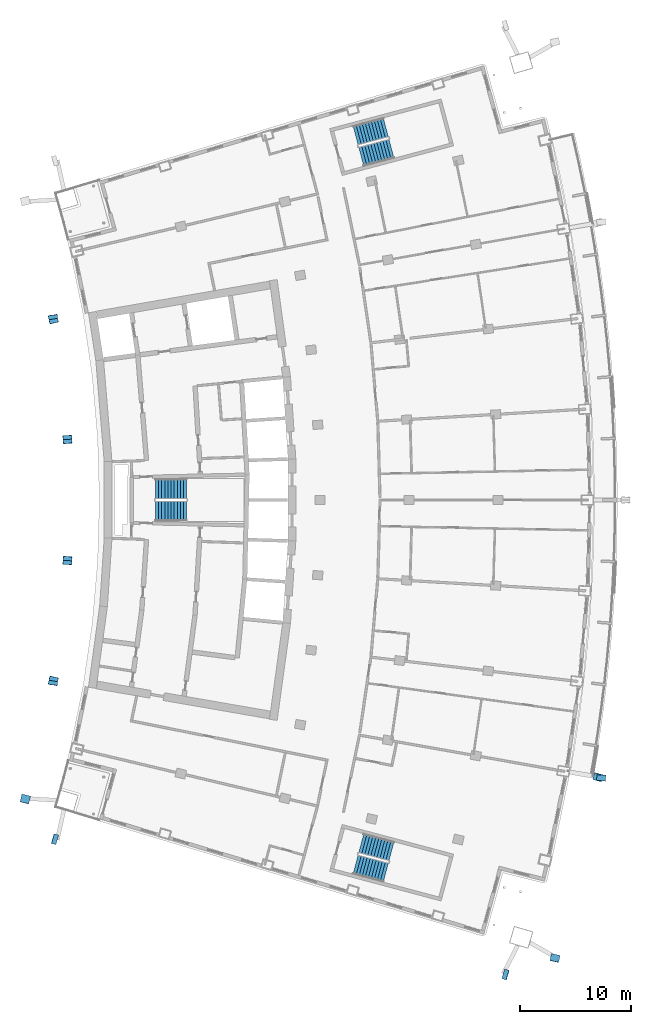
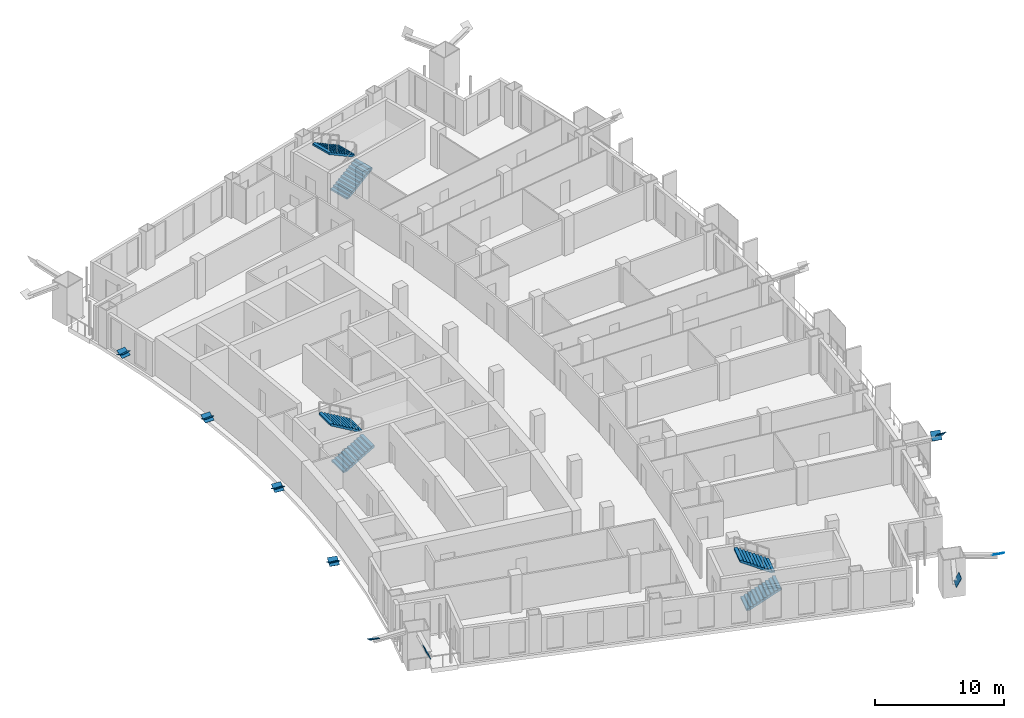
# One storey, part 18 of 22: 14 discrete accessories, 6 stair flights, 3 elements without a shape of their own.
"""IFC4 building model written with IfcOpenShell, lengths in metres."""

from ifc_helpers import new_model, si_unit, direction, frame, origin, origin_2d, place, context, subcontext, project, spatial, polyline, rectangle, outline, extrude, material, layer, layer_set, material_profile, profile_set, type_object, element, aggregate, save


model = new_model("IFC4")

# Units and contexts
model_context = context("Model", 3, precision=1e-05, world=origin(), true_north=direction((0.0, 1.0)))
body_context = subcontext(model_context, "Body", "Model", "MODEL_VIEW")
ifc_project = project(units=[si_unit("LENGTHUNIT", "METRE"), si_unit("AREAUNIT", "SQUARE_METRE"), si_unit("VOLUMEUNIT", "CUBIC_METRE"), si_unit("PLANEANGLEUNIT", "RADIAN"), si_unit("MASSUNIT", "GRAM", prefix="KILO")], contexts=[model_context])

# Site, building, storey
site_placement = place(None, origin())
site = spatial("IfcSite", under=ifc_project, at=site_placement, CompositionType="ELEMENT")
building_placement = place(site_placement, origin())
building = spatial("IfcBuilding", under=site, at=building_placement, Name="Alderwake Tower", CompositionType="ELEMENT")
storey_placement = place(building_placement, frame((0.0, 0.0, 156.800048828125)))
storey = spatial("IfcBuildingStorey", under=building, at=storey_placement, Name="L38", CompositionType="ELEMENT", Elevation=156.800048828125)

# Stair, stair flights
ifc_material_1 = material(Name="Concrete C40/50", Category="concrete")
stair_type = type_object("IfcStairType", Name="Core exit stair", PredefinedType="HALF_TURN_STAIR", material=ifc_material_1)
stair_1_placement = place(storey_placement, origin())
stair_1 = element("IfcStair", 1, at=stair_1_placement, inside=storey, type_object=stair_type, Name="L38 Exit Stair B", PredefinedType="HALF_TURN_STAIR")
ifc_material_2 = material(Name="Concrete C40/50", Category="concrete")
ifc_layer = layer(ifc_material_2, 0.14990234375)
ifc_layer_set = layer_set([ifc_layer], Name="Core stair flight")
stair_flight_type = type_object("IfcStairFlightType", Name="Core stair flight", PredefinedType="STRAIGHT", material=ifc_layer_set)
stair_flight_1_placement = place(storey_placement, frame((21.0400390625, 60.02490234375, 0.0), z_axis=(0.0, 0.0, 1.0), x_axis=(1.0, 0.0, 0.0)))
stair_flight_1 = element("IfcStairFlight", 2, at=stair_flight_1_placement, type_object=stair_flight_type, Name="ST-B flight 1", NumberOfRisers=11, NumberOfTreads=10, PredefinedType="STRAIGHT", RiserHeight=0.163636364, TreadLength=0.28, context=body_context, shape_type="SweptSolid", body=[
    extrude(outline(polyline([(0.0, 0.0), (0.0, 0.16357421875), (0.280029296875, 0.16357421875), (0.280029296875, 0.327392578125), (0.56005859375, 0.327392578125), (0.56005859375, 0.490966796875), (0.840087890625, 0.490966796875), (0.840087890625, 0.654541015625), (1.1201171875, 0.654541015625), (1.1201171875, 0.818115234375), (1.39990234375, 0.818115234375), (1.39990234375, 0.98193359375), (1.679931640625, 0.98193359375), (1.679931640625, 1.1455078125), (1.9599609375, 1.1455078125), (1.9599609375, 1.30908203125), (2.239990234375, 1.30908203125), (2.239990234375, 1.47265625), (2.52001953125, 1.47265625), (2.52001953125, 1.636474609375), (2.800048828125, 1.636474609375), (2.800048828125, 1.800048828125), (2.800048828125, 1.462646484375), (0.297119140625, 0.0), (0.0, 0.0)])), frame((0.0, 0.89990234375, 0.0), z_axis=(0.0, -1.0, 0.0), x_axis=(1.0, 0.0, 0.0)), (0.0, 0.0, 1.0), 1.800048828125),
])
stair_flight_2_placement = place(storey_placement, frame((23.840087890625, 61.97509765625, 1.800048828125), z_axis=(0.0, 0.0, 1.0), x_axis=(-1.0, 0.0, 0.0)))
stair_flight_2 = element("IfcStairFlight", 3, at=stair_flight_2_placement, type_object=stair_flight_type, Name="ST-B flight 2", NumberOfRisers=11, NumberOfTreads=10, PredefinedType="STRAIGHT", RiserHeight=0.163636364, TreadLength=0.28, context=body_context, shape_type="SweptSolid", body=[
    extrude(outline(polyline([(0.0, 0.0), (0.0, 0.16357421875), (0.280029296875, 0.16357421875), (0.280029296875, 0.327392578125), (0.56005859375, 0.327392578125), (0.56005859375, 0.490966796875), (0.840087890625, 0.490966796875), (0.840087890625, 0.654541015625), (1.1201171875, 0.654541015625), (1.1201171875, 0.818115234375), (1.39990234375, 0.818115234375), (1.39990234375, 0.98193359375), (1.679931640625, 0.98193359375), (1.679931640625, 1.1455078125), (1.9599609375, 1.1455078125), (1.9599609375, 1.30908203125), (2.239990234375, 1.30908203125), (2.239990234375, 1.47265625), (2.52001953125, 1.47265625), (2.52001953125, 1.636474609375), (2.800048828125, 1.636474609375), (2.800048828125, 1.800048828125), (2.800048828125, 1.462646484375), (0.297119140625, 0.0), (0.0, 0.0)])), frame((0.0, 0.89990234375, 0.0), z_axis=(0.0, -1.0, 0.0), x_axis=(1.0, 0.0, 0.0)), (0.0, 0.0, 1.0), 1.800048828125),
])
aggregate(stair_1, [stair_flight_1, stair_flight_2])

stair_2_placement = place(storey_placement, origin())
stair_2 = element("IfcStair", 4, at=stair_2_placement, inside=storey, type_object=stair_type, Name="L38 Exit Stair A", PredefinedType="HALF_TURN_STAIR")
stair_flight_3_placement = place(storey_placement, frame((39.512939453125, 91.823974609375, 0.0), z_axis=(0.0, 0.0, 1.0), x_axis=(0.966309627437, 0.257382407951, 0.0)))
stair_flight_3 = element("IfcStairFlight", 5, at=stair_flight_3_placement, type_object=stair_flight_type, Name="ST-A flight 1", NumberOfRisers=11, NumberOfTreads=10, PredefinedType="STRAIGHT", RiserHeight=0.163636364, TreadLength=0.28, context=body_context, shape_type="SweptSolid", body=[
    extrude(outline(polyline([(0.0, 0.0), (0.0, 0.16357421875), (0.280029296875, 0.16357421875), (0.280029296875, 0.327392578125), (0.56005859375, 0.327392578125), (0.56005859375, 0.490966796875), (0.840087890625, 0.490966796875), (0.840087890625, 0.654541015625), (1.1201171875, 0.654541015625), (1.1201171875, 0.818115234375), (1.39990234375, 0.818115234375), (1.39990234375, 0.98193359375), (1.679931640625, 0.98193359375), (1.679931640625, 1.1455078125), (1.9599609375, 1.1455078125), (1.9599609375, 1.30908203125), (2.239990234375, 1.30908203125), (2.239990234375, 1.47265625), (2.52001953125, 1.47265625), (2.52001953125, 1.636474609375), (2.800048828125, 1.636474609375), (2.800048828125, 1.800048828125), (2.800048828125, 1.462646484375), (0.297119140625, 0.0), (0.0, 0.0)])), frame((0.0, 0.89990234375, 0.0), z_axis=(0.0, -1.0, 0.0), x_axis=(1.0, 0.0, 0.0)), (0.0, 0.0, 1.0), 1.800048828125),
])
stair_flight_4_placement = place(storey_placement, frame((41.716796875, 94.428955078125, 1.800048828125), z_axis=(0.0, 0.0, 1.0), x_axis=(-0.966309627437, -0.257382407951, 0.0)))
stair_flight_4 = element("IfcStairFlight", 6, at=stair_flight_4_placement, type_object=stair_flight_type, Name="ST-A flight 2", NumberOfRisers=11, NumberOfTreads=10, PredefinedType="STRAIGHT", RiserHeight=0.163636364, TreadLength=0.28, context=body_context, shape_type="SweptSolid", body=[
    extrude(outline(polyline([(0.0, 0.0), (0.0, 0.16357421875), (0.280029296875, 0.16357421875), (0.280029296875, 0.327392578125), (0.56005859375, 0.327392578125), (0.56005859375, 0.490966796875), (0.840087890625, 0.490966796875), (0.840087890625, 0.654541015625), (1.1201171875, 0.654541015625), (1.1201171875, 0.818115234375), (1.39990234375, 0.818115234375), (1.39990234375, 0.98193359375), (1.679931640625, 0.98193359375), (1.679931640625, 1.1455078125), (1.9599609375, 1.1455078125), (1.9599609375, 1.30908203125), (2.239990234375, 1.30908203125), (2.239990234375, 1.47265625), (2.52001953125, 1.47265625), (2.52001953125, 1.636474609375), (2.800048828125, 1.636474609375), (2.800048828125, 1.800048828125), (2.800048828125, 1.462646484375), (0.297119140625, 0.0), (0.0, 0.0)])), frame((0.0, 0.89990234375, 0.0), z_axis=(0.0, -1.0, 0.0), x_axis=(1.0, 0.0, 0.0)), (0.0, 0.0, 1.0), 1.800048828125),
])
aggregate(stair_2, [stair_flight_3, stair_flight_4])

stair_3_placement = place(storey_placement, origin())
stair_3 = element("IfcStair", 7, at=stair_3_placement, inside=storey, type_object=stair_type, Name="L38 Exit Stair C", PredefinedType="HALF_TURN_STAIR")
stair_flight_5_placement = place(storey_placement, frame((39.010986328125, 28.291748046875, 0.0), z_axis=(0.0, 0.0, 1.0), x_axis=(0.966309627437, -0.257382407951, 0.0)))
stair_flight_5 = element("IfcStairFlight", 8, at=stair_flight_5_placement, type_object=stair_flight_type, Name="ST-C flight 1", NumberOfRisers=11, NumberOfTreads=10, PredefinedType="STRAIGHT", RiserHeight=0.163636364, TreadLength=0.28, context=body_context, shape_type="SweptSolid", body=[
    extrude(outline(polyline([(0.0, 0.0), (0.0, 0.16357421875), (0.280029296875, 0.16357421875), (0.280029296875, 0.327392578125), (0.56005859375, 0.327392578125), (0.56005859375, 0.490966796875), (0.840087890625, 0.490966796875), (0.840087890625, 0.654541015625), (1.1201171875, 0.654541015625), (1.1201171875, 0.818115234375), (1.39990234375, 0.818115234375), (1.39990234375, 0.98193359375), (1.679931640625, 0.98193359375), (1.679931640625, 1.1455078125), (1.9599609375, 1.1455078125), (1.9599609375, 1.30908203125), (2.239990234375, 1.30908203125), (2.239990234375, 1.47265625), (2.52001953125, 1.47265625), (2.52001953125, 1.636474609375), (2.800048828125, 1.636474609375), (2.800048828125, 1.800048828125), (2.800048828125, 1.462646484375), (0.297119140625, 0.0), (0.0, 0.0)])), frame((0.0, 0.89990234375, 0.0), z_axis=(0.0, -1.0, 0.0), x_axis=(1.0, 0.0, 0.0)), (0.0, 0.0, 1.0), 1.800048828125),
])
stair_flight_6_placement = place(storey_placement, frame((42.218505859375, 29.455322265625, 1.800048828125), z_axis=(0.0, 0.0, 1.0), x_axis=(-0.966309627437, 0.257382407951, 0.0)))
stair_flight_6 = element("IfcStairFlight", 9, at=stair_flight_6_placement, type_object=stair_flight_type, Name="ST-C flight 2", NumberOfRisers=11, NumberOfTreads=10, PredefinedType="STRAIGHT", RiserHeight=0.163636364, TreadLength=0.28, context=body_context, shape_type="SweptSolid", body=[
    extrude(outline(polyline([(0.0, 0.0), (0.0, 0.16357421875), (0.280029296875, 0.16357421875), (0.280029296875, 0.327392578125), (0.56005859375, 0.327392578125), (0.56005859375, 0.490966796875), (0.840087890625, 0.490966796875), (0.840087890625, 0.654541015625), (1.1201171875, 0.654541015625), (1.1201171875, 0.818115234375), (1.39990234375, 0.818115234375), (1.39990234375, 0.98193359375), (1.679931640625, 0.98193359375), (1.679931640625, 1.1455078125), (1.9599609375, 1.1455078125), (1.9599609375, 1.30908203125), (2.239990234375, 1.30908203125), (2.239990234375, 1.47265625), (2.52001953125, 1.47265625), (2.52001953125, 1.636474609375), (2.800048828125, 1.636474609375), (2.800048828125, 1.800048828125), (2.800048828125, 1.462646484375), (0.297119140625, 0.0), (0.0, 0.0)])), frame((0.0, 0.89990234375, 0.0), z_axis=(0.0, -1.0, 0.0), x_axis=(1.0, 0.0, 0.0)), (0.0, 0.0, 1.0), 1.800048828125),
])
aggregate(stair_3, [stair_flight_5, stair_flight_6])

# Discrete accessories
ifc_material_3 = material(Name="Steel ASTM A572 Grade 50", Category="steel")
ifc_material_profile_1 = material_profile(ifc_material_3, rectangle(XDim=0.800048828125, YDim=0.800048828125, at=origin_2d()), Name="BOX 800X800X50 cap")
ifc_profile_set_1 = profile_set([ifc_material_profile_1], Name="Steel ASTM A572 Grade 50")
discrete_accessory_type_1 = type_object("IfcDiscreteAccessoryType", Name="End cap plate BOX 800X800X50", PredefinedType="USERDEFINED", material=ifc_profile_set_1)
discrete_accessory_1_placement = place(storey_placement, frame((56.9013671875, 19.898193359375, 3.599853515625), z_axis=(-0.13066558868, -0.596161748353, -0.792160131373), x_axis=(0.976812641419, -0.214095921407, 0.0)))
element("IfcDiscreteAccessory", 10, at=discrete_accessory_1_placement, inside=storey, type_object=discrete_accessory_type_1, Name="End cap BRF3.2.2A S", ObjectType="END CAP", PredefinedType="USERDEFINED", context=body_context, shape_type="SweptSolid", body=[
    extrude(rectangle(XDim=0.800048828125, YDim=0.800048828125, at=origin_2d()), origin(), (0.0, 0.0, 1.0), 0.02978515625),
])
for number, where, z_axis, x_axis, name in (
    (11, (60.7548828125, 36.11328125, 3.599853515625), (0.162553283031, 0.593319483065, -0.788383422702), (-0.964458286837, 0.264235147079, 0.0), "End cap BRF3.2.2B1 S"),
    (12, (61.048095703125, 36.0615234375, 3.599853515625), (-0.048851577584, -0.757199452547, -0.651354367783), (0.997925308968, -0.064382277998, 0.0), "End cap BRF3.2.4A S"),
):
    element("IfcDiscreteAccessory", number, at=place(storey_placement, frame(where, z_axis=z_axis, x_axis=x_axis)), inside=storey, type_object=discrete_accessory_type_1, Name=name, ObjectType="END CAP", PredefinedType="USERDEFINED", context=body_context, shape_type="SweptSolid", body=[
        extrude(rectangle(XDim=0.800048828125, YDim=0.800048828125, at=origin_2d()), origin(), (0.0, 0.0, 1.0), 0.030029296875),
    ])
for number, where, z_axis, x_axis, name in (
    (13, (9.359619140625, 34.171630859375, 3.599853515625), (-0.106646979811, -0.434791533074, -0.894193907642), (0.971210844098, -0.238221527798, 0.0), "End cap BRR3.2.2A S"),
    (14, (11.875, 44.755615234375, 3.599853515625), (0.106265057576, 0.441408700699, -0.890991636597), (-0.972223637158, 0.234053838575, 0.0), "End cap BRR3.2.2B1 S"),
    (15, (11.875, 44.755615234375, 3.599853515625), (-0.057240686187, -0.44974824861, -0.891319256337), (0.991997911724, -0.126254279674, 0.0), "End cap BRR3.2.4A S"),
    (16, (13.141357421875, 55.560546875, 3.599853515625), (0.049084784017, 0.449943853485, -0.891706909634), (-0.994102176608, 0.108447510175, 0.0), "End cap BRR3.2.4B1 S"),
    (17, (13.141357421875, 55.560546875, 3.599853515625), (0.0, -0.450486863362, -0.89278305648), (1.0, 0.0, 0.0), "End cap BRR3.2.6A S"),
    (18, (13.141357421875, 66.439453125, 3.599853515625), (0.0, 0.450486863362, -0.89278305648), (-1.0, 0.0, 0.0), "End cap BRR3.2.6B1 S"),
    (19, (13.141357421875, 66.439453125, 3.599853515625), (0.049084784017, -0.449943853485, -0.891706909634), (0.994102176608, 0.108447510175, 0.0), "End cap BRR3.2.8A S"),
    (20, (11.875, 77.244384765625, 3.599853515625), (-0.057240686187, 0.44974824861, -0.891319256337), (-0.991997911724, -0.126254279674, 0.0), "End cap BRR3.2.8B1 S"),
    (21, (11.875, 77.244384765625, 3.599853515625), (0.106265057576, -0.441408700699, -0.890991636597), (0.972223637158, 0.234053838575, 0.0), "End cap BRR3.2.10A S"),
):
    element("IfcDiscreteAccessory", number, at=place(storey_placement, frame(where, z_axis=z_axis, x_axis=x_axis)), inside=storey, type_object=discrete_accessory_type_1, Name=name, ObjectType="END CAP", PredefinedType="USERDEFINED", context=body_context, shape_type="SweptSolid", body=[
        extrude(rectangle(XDim=0.800048828125, YDim=0.800048828125, at=origin_2d()), origin(), (0.0, 0.0, 1.0), 0.02978515625),
    ])
ifc_material_4 = material(Name="Steel ASTM A572 Grade 50", Category="steel")
ifc_material_profile_2 = material_profile(ifc_material_4, rectangle(XDim=0.89990234375, YDim=0.89990234375, at=origin_2d()), Name="BOX 900X900X55 cap")
ifc_profile_set_2 = profile_set([ifc_material_profile_2], Name="Steel ASTM A572 Grade 50")
discrete_accessory_type_2 = type_object("IfcDiscreteAccessoryType", Name="End cap plate BOX 900X900X55", PredefinedType="USERDEFINED", material=ifc_profile_set_2)
discrete_accessory_2_placement = place(storey_placement, frame((12.031005859375, 30.550537109375, 3.599853515625), z_axis=(-0.851629762001, 0.253851179058, -0.458569871847), x_axis=(-0.285656661543, -0.958332025822, 0.0)))
element("IfcDiscreteAccessory", 22, at=discrete_accessory_2_placement, inside=storey, type_object=discrete_accessory_type_2, Name="End cap BRS3.2.0A S", ObjectType="END CAP", PredefinedType="USERDEFINED", context=body_context, shape_type="SweptSolid", body=[
    extrude(rectangle(XDim=0.89990234375, YDim=0.89990234375, at=origin_2d()), origin(), (0.0, 0.0, 1.0), 0.02978515625),
])
discrete_accessory_3_placement = place(storey_placement, frame((52.448974609375, 18.416015625, 3.599853515625), z_axis=(0.852083000405, -0.259682438219, -0.454444266882), x_axis=(0.291524108639, 0.95656348147, 0.0)))
element("IfcDiscreteAccessory", 23, at=discrete_accessory_3_placement, inside=storey, type_object=discrete_accessory_type_2, Name="End cap BRS3.2.0B1 S", ObjectType="END CAP", PredefinedType="USERDEFINED", context=body_context, shape_type="SweptSolid", body=[
    extrude(rectangle(XDim=0.89990234375, YDim=0.89990234375, at=origin_2d()), origin(), (0.0, 0.0, 1.0), 0.030029296875),
])

save(model, "model.ifc")
